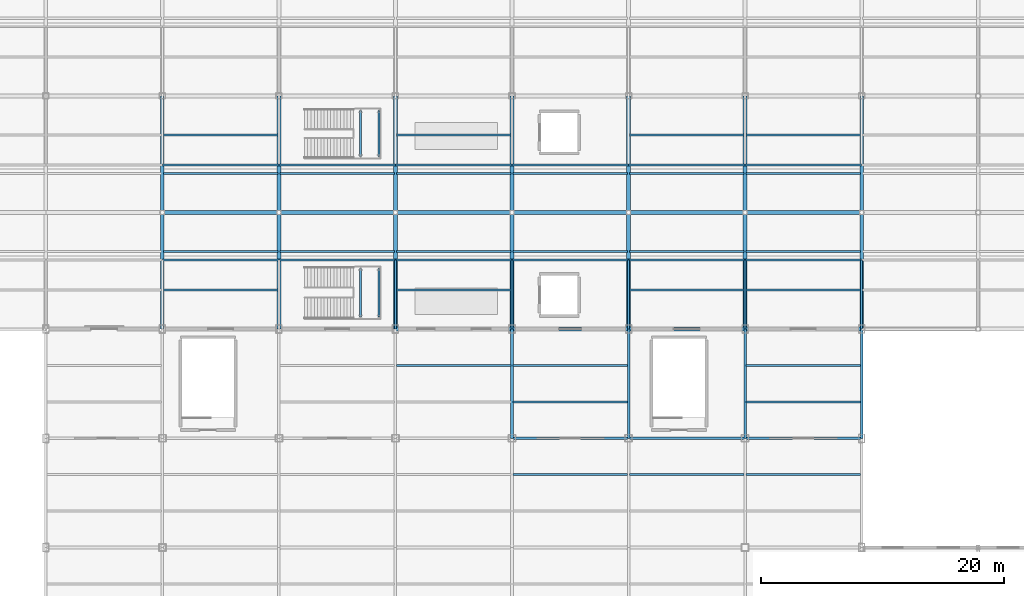
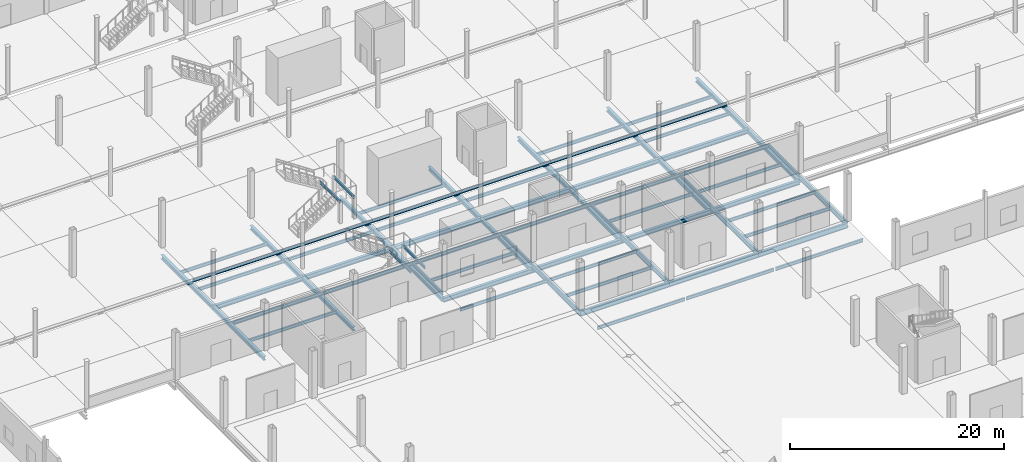
# One storey, part 31 of 85: 80 beams.
"""IFC4 building model written with IfcOpenShell, lengths in metres."""

import ifcopenshell
import ifcopenshell.guid

model = None  # the IFC model being written
_history = None  # IfcOwnerHistory: only IFC2X3 demands one
_inside = {}  # id of a spatial element -> (the spatial element, [elements in it])
_under = {}  # id of a project, library or spatial element -> (it, [spatial elements below it])
_declared = {}  # id of a project -> (the project, [libraries it declares])
_typed = {}  # id of a type object -> (the type object, [elements of that type])
_made_of = {}  # id of a material, layer set ... -> (it, [elements and type objects made of it])


def new_model(schema):
    """Start an empty IFC model of exactly this schema.

    Asked for "IFC4X3", IfcOpenShell would pick the latest addendum, in which some entities
    have other attributes; the version numbers below select the first issue.
    IFC2X3 requires an IfcOwnerHistory on every rooted entity: one is made here for all.
    """
    global model, _history
    if schema == "IFC4X3":
        model = ifcopenshell.file(schema_version=(4, 3, 0, 0))
    else:
        model = ifcopenshell.file(schema=schema)
    _inside.clear()
    _under.clear()
    _declared.clear()
    _typed.clear()
    _made_of.clear()
    _history = None
    if model.schema == "IFC2X3":
        org = make("IfcOrganization", Name="unknown")
        user = make(
            "IfcPersonAndOrganization",
            ThePerson=make("IfcPerson", FamilyName="unknown"),
            TheOrganization=org,
        )
        app = make(
            "IfcApplication",
            ApplicationDeveloper=org,
            Version="unknown",
            ApplicationFullName="unknown",
            ApplicationIdentifier="unknown",
        )
        _history = make(
            "IfcOwnerHistory",
            OwningUser=user,
            OwningApplication=app,
            ChangeAction="ADDED",
            CreationDate=0,
        )
    return model


def make(cls, **values):
    """One entity of the class cls with the attributes given. An attribute that is None is left unset."""
    return model.create_entity(
        cls, **{name: value for name, value in values.items() if value is not None}
    )


def rooted(cls, **values):
    """An entity with a GlobalId (a new one), such as an element, a storey or a relation."""
    return make(cls, GlobalId=ifcopenshell.guid.new(), OwnerHistory=_history, **values)


def si_unit(unit_type, name, prefix=None):
    """IfcSIUnit, for example si_unit("LENGTHUNIT", "METRE", prefix="MILLI")."""
    return make("IfcSIUnit", UnitType=unit_type, Prefix=prefix, Name=name)


def assignment(units):
    """IfcUnitAssignment: the units of a project."""
    return None if units is None else make("IfcUnitAssignment", Units=units)


def point(xyz):
    """IfcCartesianPoint."""
    return None if xyz is None else make("IfcCartesianPoint", Coordinates=xyz)


def direction(xyz):
    """IfcDirection."""
    return None if xyz is None else make("IfcDirection", DirectionRatios=xyz)


def frame(location, z_axis=None, x_axis=None):
    """IfcAxis2Placement3D, a coordinate frame: its origin and axes. An axis left out is left unset."""
    return make(
        "IfcAxis2Placement3D",
        Location=point(location),
        Axis=direction(z_axis),
        RefDirection=direction(x_axis),
    )


def frame_2d(location, x_axis=None):
    """IfcAxis2Placement2D, a coordinate frame in the plane: its origin and x axis."""
    return make(
        "IfcAxis2Placement2D", Location=point(location), RefDirection=direction(x_axis)
    )


def origin():
    """The frame at (0, 0, 0) with its axes left unset."""
    return frame((0.0, 0.0, 0.0))


def origin_2d():
    """The frame at (0, 0) in the plane with its x axis left unset."""
    return frame_2d((0.0, 0.0))


def place(relative_to, where):
    """IfcLocalPlacement: puts the frame where relative to a parent placement (None: the world)."""
    return make(
        "IfcLocalPlacement", PlacementRelTo=relative_to, RelativePlacement=where
    )


def context(
    kind, dimensions, precision=None, world=None, true_north=None, identifier=None
):
    """IfcGeometricRepresentationContext, for example the 3D "Model" context."""
    return make(
        "IfcGeometricRepresentationContext",
        ContextIdentifier=identifier,
        ContextType=kind,
        CoordinateSpaceDimension=dimensions,
        Precision=precision,
        WorldCoordinateSystem=world,
        TrueNorth=true_north,
    )


def subcontext(parent, identifier, kind, view, scale=None):
    """IfcGeometricRepresentationSubContext, for example "Body" below "Model"."""
    return make(
        "IfcGeometricRepresentationSubContext",
        ContextIdentifier=identifier,
        ContextType=kind,
        ParentContext=parent,
        TargetScale=scale,
        TargetView=view,
    )


def project(units=None, contexts=None):
    """IfcProject with its units and contexts."""
    return rooted(
        "IfcProject",
        Name="project",
        RepresentationContexts=contexts,
        UnitsInContext=assignment(units),
    )


def spatial(cls, under=None, at=None, **own):
    """A site, building, storey or space (cls), placed at a placement, below another one or the project."""
    s = rooted(cls, ObjectPlacement=at, **own)
    if under is not None:
        _under.setdefault(under.id(), (under, []))[1].append(s)
    return s


def profile(cls, at=None, kind="AREA", **sizes):
    """A parametric profile (cls). Its sizes go by their IFC names, for example OverallWidth=200.0."""
    return make(cls, ProfileType=kind, Position=at, **sizes)


def i_section(**sizes):
    """IfcIShapeProfileDef."""
    return profile("IfcIShapeProfileDef", **sizes)


def extrude(swept, where, along, depth):
    """IfcExtrudedAreaSolid: the profile swept, set in the frame where, extruded along a direction by depth."""
    return make(
        "IfcExtrudedAreaSolid",
        SweptArea=swept,
        Position=where,
        ExtrudedDirection=direction(along),
        Depth=depth,
    )


def shape(context_of_items, identifier, shape_type, items):
    """IfcShapeRepresentation: the items that make up one representation, for example the "Body"."""
    return make(
        "IfcShapeRepresentation",
        ContextOfItems=context_of_items,
        RepresentationIdentifier=identifier,
        RepresentationType=shape_type,
        Items=items,
    )


def material(Name=None, Category=None):
    """IfcMaterial."""
    return make("IfcMaterial", Name=Name, Category=Category)


def material_profile(
    of_material, cross_section, Name=None, Category=None, Priority=None
):
    """IfcMaterialProfile: a cross section and its material."""
    return make(
        "IfcMaterialProfile",
        Name=Name,
        Material=of_material,
        Profile=cross_section,
        Priority=Priority,
        Category=Category,
    )


def profile_set(profiles, Name=None, composite=None):
    """IfcMaterialProfileSet."""
    return make(
        "IfcMaterialProfileSet",
        Name=Name,
        MaterialProfiles=profiles,
        CompositeProfile=composite,
    )


def made_of(thing, what):
    """Note that an element or type object is made of a material, layer set ...; save() writes the relation."""
    if what is not None:
        _made_of.setdefault(what.id(), (what, []))[1].append(thing)
    return thing


def type_object(cls, material=None, **own):
    """A type object (cls), such as IfcWallType, which elements share."""
    return made_of(rooted(cls, **own), material)


def element(
    cls,
    number,
    at=None,
    inside=None,
    cuts=None,
    type_object=None,
    material=None,
    context=None,
    identifier="Body",
    shape_type=None,
    held_by="IfcProductDefinitionShape",
    body=None,
    shapes=None,
    **own,
):
    """One element of the class cls, such as IfcWall. Its Tag is "e" and its number.

    at: its placement. inside: the storey or other place that contains it. cuts: it is an
    opening in that element (IfcRelVoidsElement). A single representation is given by context,
    identifier, shape_type and body (its items); several are given by shapes. held_by: the class
    of the entity that holds the representations. save() writes the other relations.
    """
    e = rooted(cls, Tag="e%d" % number, ObjectPlacement=at, **own)
    if body is not None:
        shapes = [shape(context, identifier, shape_type, body)]
    if shapes is not None:
        e.Representation = make(held_by, Representations=shapes)
    if inside is not None:
        _inside.setdefault(inside.id(), (inside, []))[1].append(e)
    if cuts is not None:
        rooted(
            "IfcRelVoidsElement", RelatingBuildingElement=cuts, RelatedOpeningElement=e
        )
    if type_object is not None:
        _typed.setdefault(type_object.id(), (type_object, []))[1].append(e)
    return made_of(e, material)


def aggregate(whole, parts):
    """IfcRelAggregates: a whole, such as a stair, and the parts it consists of."""
    return rooted("IfcRelAggregates", RelatingObject=whole, RelatedObjects=parts)


def save(model, path):
    """Write the relations noted so far, then the file.

    IfcRelAggregates (storeys below a building ...), IfcRelContainedInSpatialStructure (elements
    in a storey), IfcRelDefinesByType, IfcRelAssociatesMaterial and IfcRelDeclares: one each for
    every whole, place, type object, material and project.
    """
    for whole, parts in _under.values():
        aggregate(whole, parts)
    for where, things in _inside.values():
        rooted(
            "IfcRelContainedInSpatialStructure",
            RelatedElements=things,
            RelatingStructure=where,
        )
    for kind, things in _typed.values():
        rooted("IfcRelDefinesByType", RelatedObjects=things, RelatingType=kind)
    for what, things in _made_of.values():
        rooted("IfcRelAssociatesMaterial", RelatedObjects=things, RelatingMaterial=what)
    for by, libraries in _declared.values():
        rooted("IfcRelDeclares", RelatingContext=by, RelatedDefinitions=libraries)
    model.write(path)


model = new_model("IFC4")

# Units and contexts
model_context = context("Model", 3, precision=1e-05, world=origin(), true_north=direction((0.0, 1.0)))
body_context = subcontext(model_context, "Body", "Model", "MODEL_VIEW")
ifc_project = project(units=[si_unit("LENGTHUNIT", "METRE"), si_unit("AREAUNIT", "SQUARE_METRE"), si_unit("VOLUMEUNIT", "CUBIC_METRE"), si_unit("PLANEANGLEUNIT", "RADIAN"), si_unit("MASSUNIT", "GRAM", prefix="KILO")], contexts=[model_context])

# Site, building, storey
site_placement = place(None, origin())
site = spatial("IfcSite", under=ifc_project, at=site_placement, CompositionType="ELEMENT")
building_placement = place(site_placement, origin())
building = spatial("IfcBuilding", under=site, at=building_placement, Name="Zarnetskaya Central Station", CompositionType="ELEMENT")
storey_placement = place(building_placement, origin())
storey = spatial("IfcBuildingStorey", under=building, at=storey_placement, Name="L00", CompositionType="ELEMENT", Elevation=0.0)

# Beams
ifc_material = material(Name="Steel S355", Category="steel")
ifc_material_profile_1 = material_profile(ifc_material, i_section(OverallWidth=0.14990234375, OverallDepth=0.300048828125, WebThickness=0.007080078125, FlangeThickness=0.0107421875, FilletRadius=0.014892578125, at=origin_2d()), Name="IPE 300")
ifc_profile_set_1 = profile_set([ifc_material_profile_1], Name="Steel S355")
beam_type_1 = type_object("IfcBeamType", Name="BM-SEC-300", PredefinedType="BEAM", material=ifc_profile_set_1)
for number, where, z_axis, x_axis, name in (
    (1, (83.530029296875, 68.199951171875, 2.364990234375), (0.0, 1.0, 0.0), (-1.0, 0.0, 0.0), "Stair half-landing bearer BM-STL-ST-P1-W"),
    (2, (85.050048828125, 68.199951171875, 2.364990234375), (0.0, 1.0, 0.0), (-1.0, 0.0, 0.0), "Stair half-landing bearer BM-STL-ST-P1-E"),
):
    element("IfcBeam", number, at=place(storey_placement, frame(where, z_axis=z_axis, x_axis=x_axis)), inside=storey, type_object=beam_type_1, Name=name, PredefinedType="BEAM", context=body_context, shape_type="SweptSolid", body=[
        extrude(i_section(OverallWidth=0.14990234375, OverallDepth=0.300048828125, WebThickness=0.007080078125, FlangeThickness=0.0107421875, FilletRadius=0.014892578125, at=origin_2d()), origin(), (0.0, 0.0, 1.0), 4.0),
    ])
for number, where, z_axis, x_axis, name in (
    (3, (83.530029296875, 81.39990234375, 2.364990234375), (0.0, 1.0, 0.0), (-1.0, 0.0, 0.0), "Stair half-landing bearer BM-STL-ST-P2-W"),
    (4, (85.050048828125, 81.39990234375, 2.364990234375), (0.0, 1.0, 0.0), (-1.0, 0.0, 0.0), "Stair half-landing bearer BM-STL-ST-P2-E"),
):
    element("IfcBeam", number, at=place(storey_placement, frame(where, z_axis=z_axis, x_axis=x_axis)), inside=storey, type_object=beam_type_1, Name=name, PredefinedType="BEAM", context=body_context, shape_type="SweptSolid", body=[
        extrude(i_section(OverallWidth=0.14990234375, OverallDepth=0.300048828125, WebThickness=0.007080078125, FlangeThickness=0.0107421875, FilletRadius=0.014892578125, at=origin_2d()), origin(), (0.0, 0.0, 1.0), 3.800048828125),
    ])
ifc_material_profile_2 = material_profile(ifc_material, i_section(OverallWidth=0.159912109375, OverallDepth=0.330078125, WebThickness=0.007568359375, FlangeThickness=0.011474609375, FilletRadius=0.01806640625, at=origin_2d()), Name="IPE 330")
ifc_profile_set_2 = profile_set([ifc_material_profile_2], Name="Steel S355")
beam_type_2 = type_object("IfcBeamType", Name="BM-SEC-330", PredefinedType="BEAM", material=ifc_profile_set_2)
for number, where, z_axis, x_axis, name in (
    (5, (86.39990234375, 67.199951171875, -0.465087890625), (0.0, 1.0, 0.0), (-1.0, 0.0, 0.0), "Platform transverse bearer GY-PLT-P1-K"),
    (6, (96.0, 67.199951171875, -0.465087890625), (0.0, 1.0, 0.0), (-1.0, 0.0, 0.0), "Platform transverse bearer GY-PLT-P1-L"),
    (7, (105.60009765625, 67.199951171875, -0.465087890625), (0.0, 1.0, 0.0), (-1.0, 0.0, 0.0), "Platform transverse bearer GY-PLT-P1-M"),
    (8, (115.199951171875, 67.199951171875, -0.465087890625), (0.0, 1.0, 0.0), (-1.0, 0.0, 0.0), "Platform transverse bearer GY-PLT-P1-N"),
    (9, (124.800048828125, 67.199951171875, -0.465087890625), (0.0, 1.0, 0.0), (-1.0, 0.0, 0.0), "Platform transverse bearer GY-PLT-P1-P"),
):
    element("IfcBeam", number, at=place(storey_placement, frame(where, z_axis=z_axis, x_axis=x_axis)), inside=storey, type_object=beam_type_2, Name=name, PredefinedType="BEAM", context=body_context, shape_type="SweptSolid", body=[
        extrude(i_section(OverallWidth=0.159912109375, OverallDepth=0.330078125, WebThickness=0.007568359375, FlangeThickness=0.011474609375, FilletRadius=0.01806640625, at=origin_2d()), origin(), (0.0, 0.0, 1.0), 5.699951171875),
    ])
beam_1_placement = place(storey_placement, frame((67.199951171875, 72.89990234375, -0.465087890625), z_axis=(1.0, 0.0, 0.0), x_axis=(0.0, 1.0, 0.0)))
element("IfcBeam", 10, at=beam_1_placement, inside=storey, type_object=beam_type_2, Name="Platform north edge beam GX-PLT-P1-HJ-N", PredefinedType="BEAM", context=body_context, shape_type="SweptSolid", body=[
    extrude(i_section(OverallWidth=0.159912109375, OverallDepth=0.330078125, WebThickness=0.007568359375, FlangeThickness=0.011474609375, FilletRadius=0.01806640625, at=origin_2d()), origin(), (0.0, 0.0, 1.0), 9.60009765625),
])
beam_2_placement = place(storey_placement, frame((76.800048828125, 72.89990234375, -0.465087890625), z_axis=(1.0, 0.0, 0.0), x_axis=(0.0, 1.0, 0.0)))
element("IfcBeam", 11, at=beam_2_placement, inside=storey, type_object=beam_type_2, Name="Platform north edge beam GX-PLT-P1-JK-N", PredefinedType="BEAM", context=body_context, shape_type="SweptSolid", body=[
    extrude(i_section(OverallWidth=0.159912109375, OverallDepth=0.330078125, WebThickness=0.007568359375, FlangeThickness=0.011474609375, FilletRadius=0.01806640625, at=origin_2d()), origin(), (0.0, 0.0, 1.0), 9.599853515625),
])
for number, where, z_axis, x_axis, name in (
    (12, (86.39990234375, 72.89990234375, -0.465087890625), (1.0, 0.0, 0.0), (0.0, 1.0, 0.0), "Platform north edge beam GX-PLT-P1-KL-N"),
    (13, (96.0, 72.89990234375, -0.465087890625), (1.0, 0.0, 0.0), (0.0, 1.0, 0.0), "Platform north edge beam GX-PLT-P1-LM-N"),
):
    element("IfcBeam", number, at=place(storey_placement, frame(where, z_axis=z_axis, x_axis=x_axis)), inside=storey, type_object=beam_type_2, Name=name, PredefinedType="BEAM", context=body_context, shape_type="SweptSolid", body=[
        extrude(i_section(OverallWidth=0.159912109375, OverallDepth=0.330078125, WebThickness=0.007568359375, FlangeThickness=0.011474609375, FilletRadius=0.01806640625, at=origin_2d()), origin(), (0.0, 0.0, 1.0), 9.60009765625),
    ])
beam_3_placement = place(storey_placement, frame((105.60009765625, 72.89990234375, -0.465087890625), z_axis=(1.0, 0.0, 0.0), x_axis=(0.0, 1.0, 0.0)))
element("IfcBeam", 14, at=beam_3_placement, inside=storey, type_object=beam_type_2, Name="Platform north edge beam GX-PLT-P1-MN-N", PredefinedType="BEAM", context=body_context, shape_type="SweptSolid", body=[
    extrude(i_section(OverallWidth=0.159912109375, OverallDepth=0.330078125, WebThickness=0.007568359375, FlangeThickness=0.011474609375, FilletRadius=0.01806640625, at=origin_2d()), origin(), (0.0, 0.0, 1.0), 9.599853515625),
])
for number, where, z_axis, x_axis, name in (
    (15, (115.199951171875, 72.89990234375, -0.465087890625), (1.0, 0.0, 0.0), (0.0, 1.0, 0.0), "Platform north edge beam GX-PLT-P1-NP-N"),
    (16, (67.199951171875, 80.699951171875, -0.465087890625), (1.0, 0.0, 0.0), (0.0, 1.0, 0.0), "Platform south edge beam GX-PLT-P2-HJ-S"),
):
    element("IfcBeam", number, at=place(storey_placement, frame(where, z_axis=z_axis, x_axis=x_axis)), inside=storey, type_object=beam_type_2, Name=name, PredefinedType="BEAM", context=body_context, shape_type="SweptSolid", body=[
        extrude(i_section(OverallWidth=0.159912109375, OverallDepth=0.330078125, WebThickness=0.007568359375, FlangeThickness=0.011474609375, FilletRadius=0.01806640625, at=origin_2d()), origin(), (0.0, 0.0, 1.0), 9.60009765625),
    ])
beam_4_placement = place(storey_placement, frame((76.800048828125, 80.699951171875, -0.465087890625), z_axis=(1.0, 0.0, 0.0), x_axis=(0.0, 1.0, 0.0)))
element("IfcBeam", 17, at=beam_4_placement, inside=storey, type_object=beam_type_2, Name="Platform south edge beam GX-PLT-P2-JK-S", PredefinedType="BEAM", context=body_context, shape_type="SweptSolid", body=[
    extrude(i_section(OverallWidth=0.159912109375, OverallDepth=0.330078125, WebThickness=0.007568359375, FlangeThickness=0.011474609375, FilletRadius=0.01806640625, at=origin_2d()), origin(), (0.0, 0.0, 1.0), 9.599853515625),
])
for number, where, z_axis, x_axis, name in (
    (18, (86.39990234375, 80.699951171875, -0.465087890625), (1.0, 0.0, 0.0), (0.0, 1.0, 0.0), "Platform south edge beam GX-PLT-P2-KL-S"),
    (19, (96.0, 80.699951171875, -0.465087890625), (1.0, 0.0, 0.0), (0.0, 1.0, 0.0), "Platform south edge beam GX-PLT-P2-LM-S"),
):
    element("IfcBeam", number, at=place(storey_placement, frame(where, z_axis=z_axis, x_axis=x_axis)), inside=storey, type_object=beam_type_2, Name=name, PredefinedType="BEAM", context=body_context, shape_type="SweptSolid", body=[
        extrude(i_section(OverallWidth=0.159912109375, OverallDepth=0.330078125, WebThickness=0.007568359375, FlangeThickness=0.011474609375, FilletRadius=0.01806640625, at=origin_2d()), origin(), (0.0, 0.0, 1.0), 9.60009765625),
    ])
beam_5_placement = place(storey_placement, frame((105.60009765625, 80.699951171875, -0.465087890625), z_axis=(1.0, 0.0, 0.0), x_axis=(0.0, 1.0, 0.0)))
element("IfcBeam", 20, at=beam_5_placement, inside=storey, type_object=beam_type_2, Name="Platform south edge beam GX-PLT-P2-MN-S", PredefinedType="BEAM", context=body_context, shape_type="SweptSolid", body=[
    extrude(i_section(OverallWidth=0.159912109375, OverallDepth=0.330078125, WebThickness=0.007568359375, FlangeThickness=0.011474609375, FilletRadius=0.01806640625, at=origin_2d()), origin(), (0.0, 0.0, 1.0), 9.599853515625),
])
beam_6_placement = place(storey_placement, frame((115.199951171875, 80.699951171875, -0.465087890625), z_axis=(1.0, 0.0, 0.0), x_axis=(0.0, 1.0, 0.0)))
element("IfcBeam", 21, at=beam_6_placement, inside=storey, type_object=beam_type_2, Name="Platform south edge beam GX-PLT-P2-NP-S", PredefinedType="BEAM", context=body_context, shape_type="SweptSolid", body=[
    extrude(i_section(OverallWidth=0.159912109375, OverallDepth=0.330078125, WebThickness=0.007568359375, FlangeThickness=0.011474609375, FilletRadius=0.01806640625, at=origin_2d()), origin(), (0.0, 0.0, 1.0), 9.60009765625),
])
ifc_material_profile_3 = material_profile(ifc_material, i_section(OverallWidth=0.169921875, OverallDepth=0.360107421875, WebThickness=0.008056640625, FlangeThickness=0.0126953125, FilletRadius=0.01806640625, at=origin_2d()), Name="IPE 360")
ifc_profile_set_3 = profile_set([ifc_material_profile_3], Name="Steel S355")
beam_type_3 = type_object("IfcBeamType", Name="BM-SEC-360", PredefinedType="BEAM", material=ifc_profile_set_3)
for number, where, z_axis, x_axis, name in (
    (22, (86.47998046875, 64.199951171875, -0.5), (1.0, 0.0, 0.0), (0.0, 1.0, 0.0), "Secondary floor beam SEC-L00-Z32-KL-89-2"),
    (23, (96.080078125, 55.199951171875, -0.5), (1.0, 0.0, 0.0), (0.0, 1.0, 0.0), "Secondary floor beam SEC-L00-Z32-LM-78-2"),
    (24, (96.080078125, 61.199951171875, -0.5), (1.0, 0.0, 0.0), (0.0, 1.0, 0.0), "Secondary floor beam SEC-L00-Z32-LM-89-1"),
    (25, (96.080078125, 64.199951171875, -0.5), (1.0, 0.0, 0.0), (0.0, 1.0, 0.0), "Secondary floor beam SEC-L00-Z32-LM-89-2"),
):
    element("IfcBeam", number, at=place(storey_placement, frame(where, z_axis=z_axis, x_axis=x_axis)), inside=storey, type_object=beam_type_3, Name=name, PredefinedType="BEAM", context=body_context, shape_type="SweptSolid", body=[
        extrude(i_section(OverallWidth=0.169921875, OverallDepth=0.360107421875, WebThickness=0.008056640625, FlangeThickness=0.0126953125, FilletRadius=0.01806640625, at=origin_2d()), origin(), (0.0, 0.0, 1.0), 9.43994140625),
    ])
beam_7_placement = place(storey_placement, frame((105.679931640625, 55.199951171875, -0.5), z_axis=(1.0, 0.0, 0.0), x_axis=(0.0, 1.0, 0.0)))
element("IfcBeam", 26, at=beam_7_placement, inside=storey, type_object=beam_type_3, Name="Secondary floor beam SEC-L00-Z32-MN-78-2", PredefinedType="BEAM", context=body_context, shape_type="SweptSolid", body=[
    extrude(i_section(OverallWidth=0.169921875, OverallDepth=0.360107421875, WebThickness=0.008056640625, FlangeThickness=0.0126953125, FilletRadius=0.01806640625, at=origin_2d()), origin(), (0.0, 0.0, 1.0), 9.440185546875),
])
for number, where, z_axis, x_axis, name in (
    (27, (115.280029296875, 55.199951171875, -0.5), (1.0, 0.0, 0.0), (0.0, 1.0, 0.0), "Secondary floor beam SEC-L00-Z32-NP-78-2"),
    (28, (115.280029296875, 61.199951171875, -0.5), (1.0, 0.0, 0.0), (0.0, 1.0, 0.0), "Secondary floor beam SEC-L00-Z32-NP-89-1"),
    (29, (115.280029296875, 64.199951171875, -0.5), (1.0, 0.0, 0.0), (0.0, 1.0, 0.0), "Secondary floor beam SEC-L00-Z32-NP-89-2"),
    (30, (67.280029296875, 70.39990234375, -1.090087890625), (1.0, 0.0, 0.0), (0.0, 1.0, 0.0), "Secondary floor beam SEC-L00-Z91-HJ-910-1"),
    (31, (67.280029296875, 73.60009765625, -1.090087890625), (1.0, 0.0, 0.0), (0.0, 1.0, 0.0), "Secondary floor beam SEC-L00-Z91-HJ-910-2"),
    (32, (67.280029296875, 80.0, -1.090087890625), (1.0, 0.0, 0.0), (0.0, 1.0, 0.0), "Secondary floor beam SEC-L00-Z91-HJ-1011-1"),
    (33, (67.280029296875, 83.199951171875, -1.090087890625), (1.0, 0.0, 0.0), (0.0, 1.0, 0.0), "Secondary floor beam SEC-L00-Z91-HJ-1011-2"),
):
    element("IfcBeam", number, at=place(storey_placement, frame(where, z_axis=z_axis, x_axis=x_axis)), inside=storey, type_object=beam_type_3, Name=name, PredefinedType="BEAM", context=body_context, shape_type="SweptSolid", body=[
        extrude(i_section(OverallWidth=0.169921875, OverallDepth=0.360107421875, WebThickness=0.008056640625, FlangeThickness=0.0126953125, FilletRadius=0.01806640625, at=origin_2d()), origin(), (0.0, 0.0, 1.0), 9.43994140625),
    ])
for number, where, z_axis, x_axis, name in (
    (34, (76.8798828125, 73.60009765625, -1.090087890625), (1.0, 0.0, 0.0), (0.0, 1.0, 0.0), "Secondary floor beam SEC-L00-Z91-JK-910-2"),
    (35, (76.8798828125, 80.0, -1.090087890625), (1.0, 0.0, 0.0), (0.0, 1.0, 0.0), "Secondary floor beam SEC-L00-Z91-JK-1011-1"),
):
    element("IfcBeam", number, at=place(storey_placement, frame(where, z_axis=z_axis, x_axis=x_axis)), inside=storey, type_object=beam_type_3, Name=name, PredefinedType="BEAM", context=body_context, shape_type="SweptSolid", body=[
        extrude(i_section(OverallWidth=0.169921875, OverallDepth=0.360107421875, WebThickness=0.008056640625, FlangeThickness=0.0126953125, FilletRadius=0.01806640625, at=origin_2d()), origin(), (0.0, 0.0, 1.0), 9.440185546875),
    ])
for number, where, z_axis, x_axis, name in (
    (36, (86.47998046875, 70.39990234375, -1.090087890625), (1.0, 0.0, 0.0), (0.0, 1.0, 0.0), "Secondary floor beam SEC-L00-Z91-KL-910-1"),
    (37, (86.47998046875, 73.60009765625, -1.090087890625), (1.0, 0.0, 0.0), (0.0, 1.0, 0.0), "Secondary floor beam SEC-L00-Z91-KL-910-2"),
    (38, (86.47998046875, 80.0, -1.090087890625), (1.0, 0.0, 0.0), (0.0, 1.0, 0.0), "Secondary floor beam SEC-L00-Z91-KL-1011-1"),
    (39, (86.47998046875, 83.199951171875, -1.090087890625), (1.0, 0.0, 0.0), (0.0, 1.0, 0.0), "Secondary floor beam SEC-L00-Z91-KL-1011-2"),
    (40, (96.080078125, 73.60009765625, -1.090087890625), (1.0, 0.0, 0.0), (0.0, 1.0, 0.0), "Secondary floor beam SEC-L00-Z91-LM-910-2"),
    (41, (96.080078125, 80.0, -1.090087890625), (1.0, 0.0, 0.0), (0.0, 1.0, 0.0), "Secondary floor beam SEC-L00-Z91-LM-1011-1"),
):
    element("IfcBeam", number, at=place(storey_placement, frame(where, z_axis=z_axis, x_axis=x_axis)), inside=storey, type_object=beam_type_3, Name=name, PredefinedType="BEAM", context=body_context, shape_type="SweptSolid", body=[
        extrude(i_section(OverallWidth=0.169921875, OverallDepth=0.360107421875, WebThickness=0.008056640625, FlangeThickness=0.0126953125, FilletRadius=0.01806640625, at=origin_2d()), origin(), (0.0, 0.0, 1.0), 9.43994140625),
    ])
for number, where, z_axis, x_axis, name in (
    (42, (105.679931640625, 70.39990234375, -1.090087890625), (1.0, 0.0, 0.0), (0.0, 1.0, 0.0), "Secondary floor beam SEC-L00-Z91-MN-910-1"),
    (43, (105.679931640625, 73.60009765625, -1.090087890625), (1.0, 0.0, 0.0), (0.0, 1.0, 0.0), "Secondary floor beam SEC-L00-Z91-MN-910-2"),
    (44, (105.679931640625, 80.0, -1.090087890625), (1.0, 0.0, 0.0), (0.0, 1.0, 0.0), "Secondary floor beam SEC-L00-Z91-MN-1011-1"),
    (45, (105.679931640625, 83.199951171875, -1.090087890625), (1.0, 0.0, 0.0), (0.0, 1.0, 0.0), "Secondary floor beam SEC-L00-Z91-MN-1011-2"),
):
    element("IfcBeam", number, at=place(storey_placement, frame(where, z_axis=z_axis, x_axis=x_axis)), inside=storey, type_object=beam_type_3, Name=name, PredefinedType="BEAM", context=body_context, shape_type="SweptSolid", body=[
        extrude(i_section(OverallWidth=0.169921875, OverallDepth=0.360107421875, WebThickness=0.008056640625, FlangeThickness=0.0126953125, FilletRadius=0.01806640625, at=origin_2d()), origin(), (0.0, 0.0, 1.0), 9.440185546875),
    ])
for number, where, z_axis, x_axis, name in (
    (46, (115.280029296875, 70.39990234375, -1.090087890625), (1.0, 0.0, 0.0), (0.0, 1.0, 0.0), "Secondary floor beam SEC-L00-Z91-NP-910-1"),
    (47, (115.280029296875, 73.60009765625, -1.090087890625), (1.0, 0.0, 0.0), (0.0, 1.0, 0.0), "Secondary floor beam SEC-L00-Z91-NP-910-2"),
    (48, (115.280029296875, 80.0, -1.090087890625), (1.0, 0.0, 0.0), (0.0, 1.0, 0.0), "Secondary floor beam SEC-L00-Z91-NP-1011-1"),
    (49, (115.280029296875, 83.199951171875, -1.090087890625), (1.0, 0.0, 0.0), (0.0, 1.0, 0.0), "Secondary floor beam SEC-L00-Z91-NP-1011-2"),
):
    element("IfcBeam", number, at=place(storey_placement, frame(where, z_axis=z_axis, x_axis=x_axis)), inside=storey, type_object=beam_type_3, Name=name, PredefinedType="BEAM", context=body_context, shape_type="SweptSolid", body=[
        extrude(i_section(OverallWidth=0.169921875, OverallDepth=0.360107421875, WebThickness=0.008056640625, FlangeThickness=0.0126953125, FilletRadius=0.01806640625, at=origin_2d()), origin(), (0.0, 0.0, 1.0), 9.43994140625),
    ])
ifc_material_profile_4 = material_profile(ifc_material, i_section(OverallWidth=0.2099609375, OverallDepth=0.550048828125, WebThickness=0.010986328125, FlangeThickness=0.01708984375, FilletRadius=0.02392578125, at=origin_2d()), Name="IPE 550")
ifc_profile_set_4 = profile_set([ifc_material_profile_4], Name="Steel S355")
beam_type_4 = type_object("IfcBeamType", Name="GD-FLR-550", PredefinedType="USERDEFINED", material=ifc_profile_set_4)
for number, where, z_axis, x_axis, name in (
    (50, (96.0, 58.199951171875, -0.594970703125), (0.0, 1.0, 0.0), (-1.0, 0.0, 0.0), "Grid girder GY-L00-L-89"),
    (51, (105.60009765625, 58.199951171875, -0.594970703125), (0.0, 1.0, 0.0), (-1.0, 0.0, 0.0), "Grid girder GY-L00-M-89"),
    (52, (115.199951171875, 58.199951171875, -0.594970703125), (0.0, 1.0, 0.0), (-1.0, 0.0, 0.0), "Grid girder GY-L00-N-89"),
    (53, (124.800048828125, 58.199951171875, -0.594970703125), (0.0, 1.0, 0.0), (-1.0, 0.0, 0.0), "Grid girder GY-L00-P-89"),
):
    element("IfcBeam", number, at=place(storey_placement, frame(where, z_axis=z_axis, x_axis=x_axis)), inside=storey, type_object=beam_type_4, Name=name, ObjectType="GIRDER", PredefinedType="USERDEFINED", context=body_context, shape_type="SweptSolid", body=[
        extrude(i_section(OverallWidth=0.2099609375, OverallDepth=0.550048828125, WebThickness=0.010986328125, FlangeThickness=0.01708984375, FilletRadius=0.02392578125, at=origin_2d()), origin(), (0.0, 0.0, 1.0), 9.0),
    ])
ifc_material_profile_5 = material_profile(ifc_material, i_section(OverallWidth=0.219970703125, OverallDepth=0.60009765625, WebThickness=0.011962890625, FlangeThickness=0.01904296875, FilletRadius=0.02392578125, at=origin_2d()), Name="IPE 600")
ifc_profile_set_5 = profile_set([ifc_material_profile_5], Name="Steel S355")
beam_type_5 = type_object("IfcBeamType", Name="GD-FLR-600", PredefinedType="USERDEFINED", material=ifc_profile_set_5)
beam_8_placement = place(storey_placement, frame((96.0, 58.199951171875, -0.6201171875), z_axis=(1.0, 0.0, 0.0), x_axis=(0.0, 1.0, 0.0)))
element("IfcBeam", 54, at=beam_8_placement, inside=storey, type_object=beam_type_5, Name="Grid girder GX-L00-8-LM", ObjectType="GIRDER", PredefinedType="USERDEFINED", context=body_context, shape_type="SweptSolid", body=[
    extrude(i_section(OverallWidth=0.219970703125, OverallDepth=0.60009765625, WebThickness=0.011962890625, FlangeThickness=0.01904296875, FilletRadius=0.02392578125, at=origin_2d()), origin(), (0.0, 0.0, 1.0), 9.60009765625),
])
beam_9_placement = place(storey_placement, frame((105.60009765625, 58.199951171875, -0.6201171875), z_axis=(1.0, 0.0, 0.0), x_axis=(0.0, 1.0, 0.0)))
element("IfcBeam", 55, at=beam_9_placement, inside=storey, type_object=beam_type_5, Name="Grid girder GX-L00-8-MN", ObjectType="GIRDER", PredefinedType="USERDEFINED", context=body_context, shape_type="SweptSolid", body=[
    extrude(i_section(OverallWidth=0.219970703125, OverallDepth=0.60009765625, WebThickness=0.011962890625, FlangeThickness=0.01904296875, FilletRadius=0.02392578125, at=origin_2d()), origin(), (0.0, 0.0, 1.0), 9.599853515625),
])
beam_10_placement = place(storey_placement, frame((115.199951171875, 58.199951171875, -0.6201171875), z_axis=(1.0, 0.0, 0.0), x_axis=(0.0, 1.0, 0.0)))
element("IfcBeam", 56, at=beam_10_placement, inside=storey, type_object=beam_type_5, Name="Grid girder GX-L00-8-NP", ObjectType="GIRDER", PredefinedType="USERDEFINED", context=body_context, shape_type="SweptSolid", body=[
    extrude(i_section(OverallWidth=0.219970703125, OverallDepth=0.60009765625, WebThickness=0.011962890625, FlangeThickness=0.01904296875, FilletRadius=0.02392578125, at=origin_2d()), origin(), (0.0, 0.0, 1.0), 9.60009765625),
])
ifc_material_profile_6 = material_profile(ifc_material, i_section(OverallWidth=0.300048828125, OverallDepth=0.449951171875, WebThickness=0.013916015625, FlangeThickness=0.02587890625, FilletRadius=0.027099609375, at=origin_2d()), Name="HEB 450")
ifc_profile_set_6 = profile_set([ifc_material_profile_6], Name="Steel S355")
beam_type_6 = type_object("IfcBeamType", Name="GD-SUB-450", PredefinedType="USERDEFINED", material=ifc_profile_set_6)
beam_11_placement = place(storey_placement, frame((67.199951171875, 67.199951171875, -1.135009765625), z_axis=(0.0, 1.0, 0.0), x_axis=(-1.0, 0.0, 0.0)))
element("IfcBeam", 57, at=beam_11_placement, inside=storey, type_object=beam_type_6, Name="Grid girder GY-L00-H-910", ObjectType="GIRDER", PredefinedType="USERDEFINED", context=body_context, shape_type="SweptSolid", body=[
    extrude(i_section(OverallWidth=0.300048828125, OverallDepth=0.449951171875, WebThickness=0.013916015625, FlangeThickness=0.02587890625, FilletRadius=0.027099609375, at=origin_2d()), origin(), (0.0, 0.0, 1.0), 9.60009765625),
])
beam_12_placement = place(storey_placement, frame((67.199951171875, 76.800048828125, -1.135009765625), z_axis=(0.0, 1.0, 0.0), x_axis=(-1.0, 0.0, 0.0)))
element("IfcBeam", 58, at=beam_12_placement, inside=storey, type_object=beam_type_6, Name="Grid girder GY-L00-H-1011", ObjectType="GIRDER", PredefinedType="USERDEFINED", context=body_context, shape_type="SweptSolid", body=[
    extrude(i_section(OverallWidth=0.300048828125, OverallDepth=0.449951171875, WebThickness=0.013916015625, FlangeThickness=0.02587890625, FilletRadius=0.027099609375, at=origin_2d()), origin(), (0.0, 0.0, 1.0), 9.599853515625),
])
beam_13_placement = place(storey_placement, frame((76.800048828125, 67.199951171875, -1.135009765625), z_axis=(0.0, 1.0, 0.0), x_axis=(-1.0, 0.0, 0.0)))
element("IfcBeam", 59, at=beam_13_placement, inside=storey, type_object=beam_type_6, Name="Grid girder GY-L00-J-910", ObjectType="GIRDER", PredefinedType="USERDEFINED", context=body_context, shape_type="SweptSolid", body=[
    extrude(i_section(OverallWidth=0.300048828125, OverallDepth=0.449951171875, WebThickness=0.013916015625, FlangeThickness=0.02587890625, FilletRadius=0.027099609375, at=origin_2d()), origin(), (0.0, 0.0, 1.0), 9.60009765625),
])
beam_14_placement = place(storey_placement, frame((76.800048828125, 76.800048828125, -1.135009765625), z_axis=(0.0, 1.0, 0.0), x_axis=(-1.0, 0.0, 0.0)))
element("IfcBeam", 60, at=beam_14_placement, inside=storey, type_object=beam_type_6, Name="Grid girder GY-L00-J-1011", ObjectType="GIRDER", PredefinedType="USERDEFINED", context=body_context, shape_type="SweptSolid", body=[
    extrude(i_section(OverallWidth=0.300048828125, OverallDepth=0.449951171875, WebThickness=0.013916015625, FlangeThickness=0.02587890625, FilletRadius=0.027099609375, at=origin_2d()), origin(), (0.0, 0.0, 1.0), 9.599853515625),
])
beam_15_placement = place(storey_placement, frame((86.39990234375, 67.199951171875, -1.135009765625), z_axis=(0.0, 1.0, 0.0), x_axis=(-1.0, 0.0, 0.0)))
element("IfcBeam", 61, at=beam_15_placement, inside=storey, type_object=beam_type_6, Name="Grid girder GY-L00-K-910", ObjectType="GIRDER", PredefinedType="USERDEFINED", context=body_context, shape_type="SweptSolid", body=[
    extrude(i_section(OverallWidth=0.300048828125, OverallDepth=0.449951171875, WebThickness=0.013916015625, FlangeThickness=0.02587890625, FilletRadius=0.027099609375, at=origin_2d()), origin(), (0.0, 0.0, 1.0), 9.60009765625),
])
beam_16_placement = place(storey_placement, frame((86.39990234375, 76.800048828125, -1.135009765625), z_axis=(0.0, 1.0, 0.0), x_axis=(-1.0, 0.0, 0.0)))
element("IfcBeam", 62, at=beam_16_placement, inside=storey, type_object=beam_type_6, Name="Grid girder GY-L00-K-1011", ObjectType="GIRDER", PredefinedType="USERDEFINED", context=body_context, shape_type="SweptSolid", body=[
    extrude(i_section(OverallWidth=0.300048828125, OverallDepth=0.449951171875, WebThickness=0.013916015625, FlangeThickness=0.02587890625, FilletRadius=0.027099609375, at=origin_2d()), origin(), (0.0, 0.0, 1.0), 9.599853515625),
])
beam_17_placement = place(storey_placement, frame((96.0, 67.199951171875, -1.135009765625), z_axis=(0.0, 1.0, 0.0), x_axis=(-1.0, 0.0, 0.0)))
element("IfcBeam", 63, at=beam_17_placement, inside=storey, type_object=beam_type_6, Name="Grid girder GY-L00-L-910", ObjectType="GIRDER", PredefinedType="USERDEFINED", context=body_context, shape_type="SweptSolid", body=[
    extrude(i_section(OverallWidth=0.300048828125, OverallDepth=0.449951171875, WebThickness=0.013916015625, FlangeThickness=0.02587890625, FilletRadius=0.027099609375, at=origin_2d()), origin(), (0.0, 0.0, 1.0), 9.60009765625),
])
beam_18_placement = place(storey_placement, frame((96.0, 76.800048828125, -1.135009765625), z_axis=(0.0, 1.0, 0.0), x_axis=(-1.0, 0.0, 0.0)))
element("IfcBeam", 64, at=beam_18_placement, inside=storey, type_object=beam_type_6, Name="Grid girder GY-L00-L-1011", ObjectType="GIRDER", PredefinedType="USERDEFINED", context=body_context, shape_type="SweptSolid", body=[
    extrude(i_section(OverallWidth=0.300048828125, OverallDepth=0.449951171875, WebThickness=0.013916015625, FlangeThickness=0.02587890625, FilletRadius=0.027099609375, at=origin_2d()), origin(), (0.0, 0.0, 1.0), 9.599853515625),
])
beam_19_placement = place(storey_placement, frame((105.60009765625, 67.199951171875, -1.135009765625), z_axis=(0.0, 1.0, 0.0), x_axis=(-1.0, 0.0, 0.0)))
element("IfcBeam", 65, at=beam_19_placement, inside=storey, type_object=beam_type_6, Name="Grid girder GY-L00-M-910", ObjectType="GIRDER", PredefinedType="USERDEFINED", context=body_context, shape_type="SweptSolid", body=[
    extrude(i_section(OverallWidth=0.300048828125, OverallDepth=0.449951171875, WebThickness=0.013916015625, FlangeThickness=0.02587890625, FilletRadius=0.027099609375, at=origin_2d()), origin(), (0.0, 0.0, 1.0), 9.60009765625),
])
beam_20_placement = place(storey_placement, frame((105.60009765625, 76.800048828125, -1.135009765625), z_axis=(0.0, 1.0, 0.0), x_axis=(-1.0, 0.0, 0.0)))
element("IfcBeam", 66, at=beam_20_placement, inside=storey, type_object=beam_type_6, Name="Grid girder GY-L00-M-1011", ObjectType="GIRDER", PredefinedType="USERDEFINED", context=body_context, shape_type="SweptSolid", body=[
    extrude(i_section(OverallWidth=0.300048828125, OverallDepth=0.449951171875, WebThickness=0.013916015625, FlangeThickness=0.02587890625, FilletRadius=0.027099609375, at=origin_2d()), origin(), (0.0, 0.0, 1.0), 9.599853515625),
])
beam_21_placement = place(storey_placement, frame((115.199951171875, 67.199951171875, -1.135009765625), z_axis=(0.0, 1.0, 0.0), x_axis=(-1.0, 0.0, 0.0)))
element("IfcBeam", 67, at=beam_21_placement, inside=storey, type_object=beam_type_6, Name="Grid girder GY-L00-N-910", ObjectType="GIRDER", PredefinedType="USERDEFINED", context=body_context, shape_type="SweptSolid", body=[
    extrude(i_section(OverallWidth=0.300048828125, OverallDepth=0.449951171875, WebThickness=0.013916015625, FlangeThickness=0.02587890625, FilletRadius=0.027099609375, at=origin_2d()), origin(), (0.0, 0.0, 1.0), 9.60009765625),
])
beam_22_placement = place(storey_placement, frame((115.199951171875, 76.800048828125, -1.135009765625), z_axis=(0.0, 1.0, 0.0), x_axis=(-1.0, 0.0, 0.0)))
element("IfcBeam", 68, at=beam_22_placement, inside=storey, type_object=beam_type_6, Name="Grid girder GY-L00-N-1011", ObjectType="GIRDER", PredefinedType="USERDEFINED", context=body_context, shape_type="SweptSolid", body=[
    extrude(i_section(OverallWidth=0.300048828125, OverallDepth=0.449951171875, WebThickness=0.013916015625, FlangeThickness=0.02587890625, FilletRadius=0.027099609375, at=origin_2d()), origin(), (0.0, 0.0, 1.0), 9.599853515625),
])
beam_23_placement = place(storey_placement, frame((124.800048828125, 67.199951171875, -1.135009765625), z_axis=(0.0, 1.0, 0.0), x_axis=(-1.0, 0.0, 0.0)))
element("IfcBeam", 69, at=beam_23_placement, inside=storey, type_object=beam_type_6, Name="Grid girder GY-L00-P-910", ObjectType="GIRDER", PredefinedType="USERDEFINED", context=body_context, shape_type="SweptSolid", body=[
    extrude(i_section(OverallWidth=0.300048828125, OverallDepth=0.449951171875, WebThickness=0.013916015625, FlangeThickness=0.02587890625, FilletRadius=0.027099609375, at=origin_2d()), origin(), (0.0, 0.0, 1.0), 9.60009765625),
])
beam_24_placement = place(storey_placement, frame((124.800048828125, 76.800048828125, -1.135009765625), z_axis=(0.0, 1.0, 0.0), x_axis=(-1.0, 0.0, 0.0)))
element("IfcBeam", 70, at=beam_24_placement, inside=storey, type_object=beam_type_6, Name="Grid girder GY-L00-P-1011", ObjectType="GIRDER", PredefinedType="USERDEFINED", context=body_context, shape_type="SweptSolid", body=[
    extrude(i_section(OverallWidth=0.300048828125, OverallDepth=0.449951171875, WebThickness=0.013916015625, FlangeThickness=0.02587890625, FilletRadius=0.027099609375, at=origin_2d()), origin(), (0.0, 0.0, 1.0), 9.599853515625),
])
ifc_material_profile_7 = material_profile(ifc_material, i_section(OverallWidth=0.300048828125, OverallDepth=0.5, WebThickness=0.014404296875, FlangeThickness=0.028076171875, FilletRadius=0.027099609375, at=origin_2d()), Name="HEB 500")
ifc_profile_set_7 = profile_set([ifc_material_profile_7], Name="Steel S355")
beam_type_7 = type_object("IfcBeamType", Name="GD-SUB-500", PredefinedType="USERDEFINED", material=ifc_profile_set_7)
beam_25_placement = place(storey_placement, frame((67.199951171875, 76.800048828125, -1.159912109375), z_axis=(1.0, 0.0, 0.0), x_axis=(0.0, 1.0, 0.0)))
element("IfcBeam", 71, at=beam_25_placement, inside=storey, type_object=beam_type_7, Name="Grid girder GX-L00-10-HJ", ObjectType="GIRDER", PredefinedType="USERDEFINED", context=body_context, shape_type="SweptSolid", body=[
    extrude(i_section(OverallWidth=0.300048828125, OverallDepth=0.5, WebThickness=0.014404296875, FlangeThickness=0.028076171875, FilletRadius=0.027099609375, at=origin_2d()), origin(), (0.0, 0.0, 1.0), 9.60009765625),
])
beam_26_placement = place(storey_placement, frame((76.800048828125, 76.800048828125, -1.159912109375), z_axis=(1.0, 0.0, 0.0), x_axis=(0.0, 1.0, 0.0)))
element("IfcBeam", 72, at=beam_26_placement, inside=storey, type_object=beam_type_7, Name="Grid girder GX-L00-10-JK", ObjectType="GIRDER", PredefinedType="USERDEFINED", context=body_context, shape_type="SweptSolid", body=[
    extrude(i_section(OverallWidth=0.300048828125, OverallDepth=0.5, WebThickness=0.014404296875, FlangeThickness=0.028076171875, FilletRadius=0.027099609375, at=origin_2d()), origin(), (0.0, 0.0, 1.0), 9.599853515625),
])
for number, where, z_axis, x_axis, name in (
    (73, (86.39990234375, 67.199951171875, -1.159912109375), (1.0, 0.0, 0.0), (0.0, 1.0, 0.0), "Grid girder GX-L00-9-KL"),
    (74, (86.39990234375, 76.800048828125, -1.159912109375), (1.0, 0.0, 0.0), (0.0, 1.0, 0.0), "Grid girder GX-L00-10-KL"),
    (75, (96.0, 67.199951171875, -1.159912109375), (1.0, 0.0, 0.0), (0.0, 1.0, 0.0), "Grid girder GX-L00-9-LM"),
    (76, (96.0, 76.800048828125, -1.159912109375), (1.0, 0.0, 0.0), (0.0, 1.0, 0.0), "Grid girder GX-L00-10-LM"),
):
    element("IfcBeam", number, at=place(storey_placement, frame(where, z_axis=z_axis, x_axis=x_axis)), inside=storey, type_object=beam_type_7, Name=name, ObjectType="GIRDER", PredefinedType="USERDEFINED", context=body_context, shape_type="SweptSolid", body=[
        extrude(i_section(OverallWidth=0.300048828125, OverallDepth=0.5, WebThickness=0.014404296875, FlangeThickness=0.028076171875, FilletRadius=0.027099609375, at=origin_2d()), origin(), (0.0, 0.0, 1.0), 9.60009765625),
    ])
for number, where, z_axis, x_axis, name in (
    (77, (105.60009765625, 67.199951171875, -1.159912109375), (1.0, 0.0, 0.0), (0.0, 1.0, 0.0), "Grid girder GX-L00-9-MN"),
    (78, (105.60009765625, 76.800048828125, -1.159912109375), (1.0, 0.0, 0.0), (0.0, 1.0, 0.0), "Grid girder GX-L00-10-MN"),
):
    element("IfcBeam", number, at=place(storey_placement, frame(where, z_axis=z_axis, x_axis=x_axis)), inside=storey, type_object=beam_type_7, Name=name, ObjectType="GIRDER", PredefinedType="USERDEFINED", context=body_context, shape_type="SweptSolid", body=[
        extrude(i_section(OverallWidth=0.300048828125, OverallDepth=0.5, WebThickness=0.014404296875, FlangeThickness=0.028076171875, FilletRadius=0.027099609375, at=origin_2d()), origin(), (0.0, 0.0, 1.0), 9.599853515625),
    ])
for number, where, z_axis, x_axis, name in (
    (79, (115.199951171875, 67.199951171875, -1.159912109375), (1.0, 0.0, 0.0), (0.0, 1.0, 0.0), "Grid girder GX-L00-9-NP"),
    (80, (115.199951171875, 76.800048828125, -1.159912109375), (1.0, 0.0, 0.0), (0.0, 1.0, 0.0), "Grid girder GX-L00-10-NP"),
):
    element("IfcBeam", number, at=place(storey_placement, frame(where, z_axis=z_axis, x_axis=x_axis)), inside=storey, type_object=beam_type_7, Name=name, ObjectType="GIRDER", PredefinedType="USERDEFINED", context=body_context, shape_type="SweptSolid", body=[
        extrude(i_section(OverallWidth=0.300048828125, OverallDepth=0.5, WebThickness=0.014404296875, FlangeThickness=0.028076171875, FilletRadius=0.027099609375, at=origin_2d()), origin(), (0.0, 0.0, 1.0), 9.60009765625),
    ])

save(model, "model.ifc")
